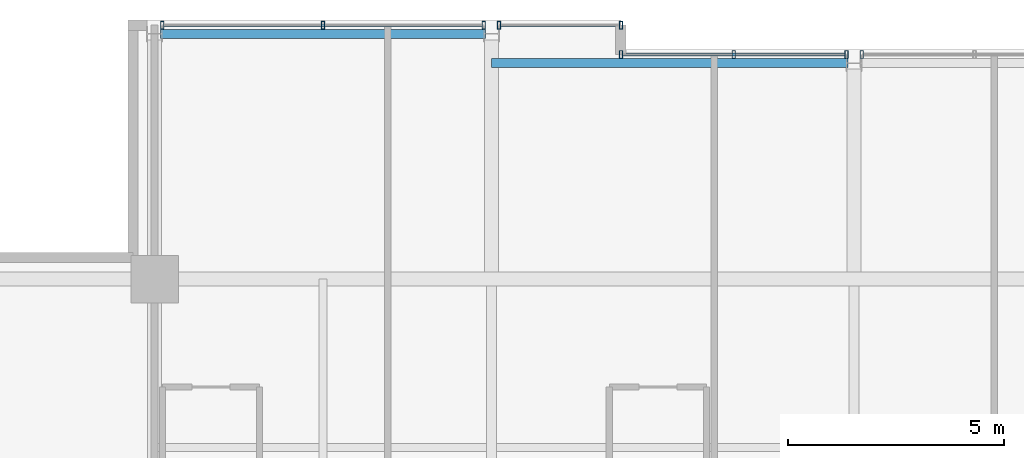
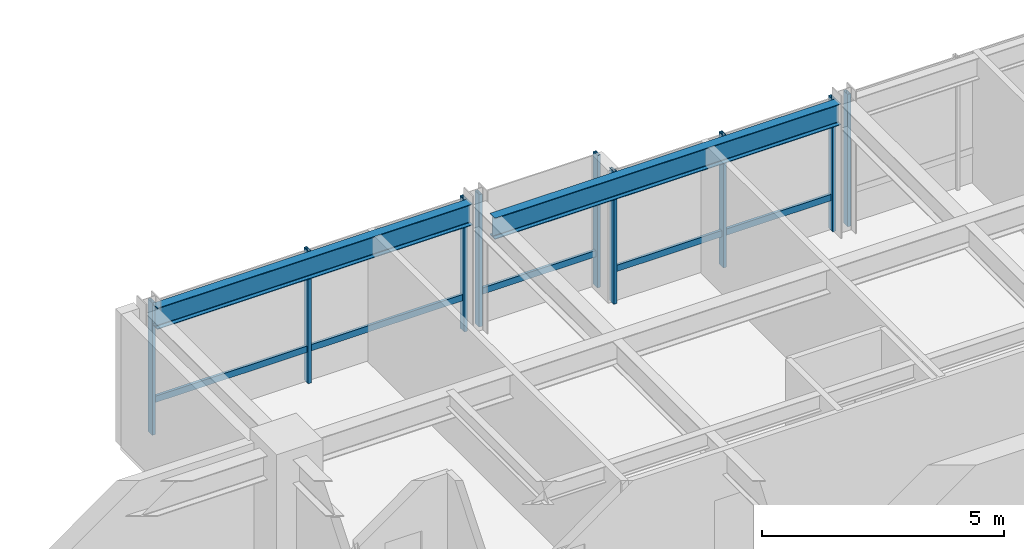
# One storey, part 20 of 32: 12 members, 2 beams, 4 elements without a shape of their own.
"""IFC4 building model written with IfcOpenShell, lengths in metres."""

from ifc_helpers import new_model, si_unit, direction, frame, origin, origin_2d, place, context, subcontext, project, spatial, hollow_rectangle, i_section, extrude, material, layer, layer_set, material_profile, profile_set, type_object, element, aggregate, save


model = new_model("IFC4")

# Units and contexts
model_context = context("Model", 3, precision=1e-05, world=origin(), true_north=direction((0.0, 1.0)))
body_context = subcontext(model_context, "Body", "Model", "MODEL_VIEW")
ifc_project = project(units=[si_unit("LENGTHUNIT", "METRE"), si_unit("AREAUNIT", "SQUARE_METRE"), si_unit("VOLUMEUNIT", "CUBIC_METRE"), si_unit("PLANEANGLEUNIT", "RADIAN"), si_unit("MASSUNIT", "GRAM", prefix="KILO")], contexts=[model_context])

# Site, building, storey
site_placement = place(None, origin())
site = spatial("IfcSite", under=ifc_project, at=site_placement, CompositionType="ELEMENT")
building_placement = place(site_placement, origin())
building = spatial("IfcBuilding", under=site, at=building_placement, Name="Drelvath Grand Hotel", CompositionType="ELEMENT")
storey_placement = place(building_placement, frame((0.0, 0.0, 237.5)))
storey = spatial("IfcBuildingStorey", under=building, at=storey_placement, Name="L62", CompositionType="ELEMENT", Elevation=237.5)

# Curtain wall, member
ifc_material_1 = material(Name="Platinum-Mist Anodised Aluminium Frame", Category="aluminium")
ifc_layer = layer(ifc_material_1, 0.199951171875)
ifc_layer_set = layer_set([ifc_layer], Name="Platinum-Mist Anodised Aluminium Frame")
curtain_wall_type = type_object("IfcCurtainWallType", Name="Stick Curtain Wall CW-05 Platinum Mist High-Rise", PredefinedType="NOTDEFINED", material=ifc_layer_set)
curtain_wall_1_placement = place(storey_placement, origin())
curtain_wall_1 = element("IfcCurtainWall", 1, at=curtain_wall_1_placement, inside=storey, type_object=curtain_wall_type, Name="L62 CW-05 Curtain Wall CW05-L62-NW2", PredefinedType="NOTDEFINED")
ifc_material_profile_1 = material_profile(ifc_material_1, hollow_rectangle(XDim=0.06494140625, YDim=0.159912109375, WallThickness=0.00390625, at=origin_2d()), Name="HSS160X65X4")
ifc_profile_set_1 = profile_set([ifc_material_profile_1], Name="Platinum-Mist Anodised Aluminium Frame")
member_type_1 = type_object("IfcMemberType", Name="Curtain Wall Horizontal Transom CW-05 HSS160X65X4", PredefinedType="USERDEFINED", material=ifc_profile_set_1)
member_1_placement = place(storey_placement, frame((-15.981689453125, 49.080078125, 0.8349609375), z_axis=(1.0, 0.0, 0.0), x_axis=(0.0, 1.0, 0.0)))
member_1 = element("IfcMember", 2, at=member_1_placement, type_object=member_type_1, Name="CW05-L62-NW2 Sill Transom", ObjectType="TRANSOM", PredefinedType="USERDEFINED", context=body_context, shape_type="SweptSolid", body=[
    extrude(hollow_rectangle(XDim=0.06494140625, YDim=0.159912109375, WallThickness=0.00390625, at=origin_2d()), origin(), (0.0, 0.0, 1.0), 7.363525390625),
])

curtain_wall_2_placement = place(storey_placement, origin())
curtain_wall_2 = element("IfcCurtainWall", 3, at=curtain_wall_2_placement, inside=storey, type_object=curtain_wall_type, Name="L62 CW-05 Curtain Wall CW05-L62-NW3", PredefinedType="NOTDEFINED")
member_2_placement = place(storey_placement, frame((-8.181884765625, 49.080078125, 0.8349609375), z_axis=(1.0, 0.0, 0.0), x_axis=(0.0, 1.0, 0.0)))
member_2 = element("IfcMember", 4, at=member_2_placement, type_object=member_type_1, Name="CW05-L62-NW3 Sill Transom", ObjectType="TRANSOM", PredefinedType="USERDEFINED", context=body_context, shape_type="SweptSolid", body=[
    extrude(hollow_rectangle(XDim=0.06494140625, YDim=0.159912109375, WallThickness=0.00390625, at=origin_2d()), origin(), (0.0, 0.0, 1.0), 2.741943359375),
])

curtain_wall_3_placement = place(storey_placement, origin())
curtain_wall_3 = element("IfcCurtainWall", 5, at=curtain_wall_3_placement, inside=storey, type_object=curtain_wall_type, Name="L62 CW-05 Curtain Wall CW05-L62-NM1", PredefinedType="NOTDEFINED")
member_3_placement = place(storey_placement, frame((-5.360107421875, 48.39990234375, 0.8349609375), z_axis=(1.0, 0.0, 0.0), x_axis=(0.0, 1.0, 0.0)))
member_3 = element("IfcMember", 6, at=member_3_placement, type_object=member_type_1, Name="CW05-L62-NM1 Sill Transom", ObjectType="TRANSOM", PredefinedType="USERDEFINED", context=body_context, shape_type="SweptSolid", body=[
    extrude(hollow_rectangle(XDim=0.06494140625, YDim=0.159912109375, WallThickness=0.00390625, at=origin_2d()), origin(), (0.0, 0.0, 1.0), 5.141845703125),
])

# Member
ifc_material_profile_2 = material_profile(ifc_material_1, hollow_rectangle(XDim=0.074951171875, YDim=0.179931640625, WallThickness=0.0048828125, at=origin_2d()), Name="HSS180X75X5")
ifc_profile_set_2 = profile_set([ifc_material_profile_2], Name="Platinum-Mist Anodised Aluminium Frame")
member_type_2 = type_object("IfcMemberType", Name="Curtain Wall Vertical Mullion CW-05 HSS180X75X5", PredefinedType="MULLION", material=ifc_profile_set_2)
member_4_placement = place(storey_placement, frame((-16.021728515625, 49.080078125, 0.0), z_axis=(0.0, 0.0, 1.0), x_axis=(1.0, 0.0, 0.0)))
member_4 = element("IfcMember", 7, at=member_4_placement, type_object=member_type_2, Name="CW05-L62-NW2 Mullion 1", PredefinedType="MULLION", context=body_context, shape_type="SweptSolid", body=[
    extrude(hollow_rectangle(XDim=0.074951171875, YDim=0.179931640625, WallThickness=0.0048828125, at=origin_2d()), origin(), (0.0, 0.0, 1.0), 3.340087890625),
])

member_5_placement = place(storey_placement, frame((-12.300048828125, 49.080078125, 0.0), z_axis=(0.0, 0.0, 1.0), x_axis=(1.0, 0.0, 0.0)))
member_5 = element("IfcMember", 8, at=member_5_placement, type_object=member_type_2, Name="CW05-L62-NW2 Mullion 2", PredefinedType="MULLION", context=body_context, shape_type="SweptSolid", body=[
    extrude(hollow_rectangle(XDim=0.074951171875, YDim=0.179931640625, WallThickness=0.0048828125, at=origin_2d()), origin(), (0.0, 0.0, 1.0), 3.340087890625),
])

member_6_placement = place(storey_placement, frame((-8.578125, 49.080078125, 0.0), z_axis=(0.0, 0.0, 1.0), x_axis=(1.0, 0.0, 0.0)))
member_6 = element("IfcMember", 9, at=member_6_placement, type_object=member_type_2, Name="CW05-L62-NW2 Mullion 3", PredefinedType="MULLION", context=body_context, shape_type="SweptSolid", body=[
    extrude(hollow_rectangle(XDim=0.074951171875, YDim=0.179931640625, WallThickness=0.0048828125, at=origin_2d()), origin(), (0.0, 0.0, 1.0), 3.340087890625),
])

aggregate(curtain_wall_1, [member_4, member_5, member_6, member_1])

member_7_placement = place(storey_placement, frame((-8.2216796875, 49.080078125, 0.0), z_axis=(0.0, 0.0, 1.0), x_axis=(1.0, 0.0, 0.0)))
member_7 = element("IfcMember", 10, at=member_7_placement, type_object=member_type_2, Name="CW05-L62-NW3 Mullion 1", PredefinedType="MULLION", context=body_context, shape_type="SweptSolid", body=[
    extrude(hollow_rectangle(XDim=0.074951171875, YDim=0.179931640625, WallThickness=0.0048828125, at=origin_2d()), origin(), (0.0, 0.0, 1.0), 3.340087890625),
])

member_8_placement = place(storey_placement, frame((-5.39990234375, 49.080078125, 0.0), z_axis=(0.0, 0.0, 1.0), x_axis=(1.0, 0.0, 0.0)))
member_8 = element("IfcMember", 11, at=member_8_placement, type_object=member_type_2, Name="CW05-L62-NW3 Mullion 2", PredefinedType="MULLION", context=body_context, shape_type="SweptSolid", body=[
    extrude(hollow_rectangle(XDim=0.074951171875, YDim=0.179931640625, WallThickness=0.0048828125, at=origin_2d()), origin(), (0.0, 0.0, 1.0), 3.340087890625),
])

aggregate(curtain_wall_2, [member_7, member_8, member_2])

member_9_placement = place(storey_placement, frame((-5.39990234375, 48.39990234375, 0.0), z_axis=(0.0, 0.0, 1.0), x_axis=(1.0, 0.0, 0.0)))
member_9 = element("IfcMember", 12, at=member_9_placement, type_object=member_type_2, Name="CW05-L62-NM1 Mullion 1", PredefinedType="MULLION", context=body_context, shape_type="SweptSolid", body=[
    extrude(hollow_rectangle(XDim=0.074951171875, YDim=0.179931640625, WallThickness=0.0048828125, at=origin_2d()), origin(), (0.0, 0.0, 1.0), 3.340087890625),
])

member_10_placement = place(storey_placement, frame((-2.7890625, 48.39990234375, 0.0), z_axis=(0.0, 0.0, 1.0), x_axis=(1.0, 0.0, 0.0)))
member_10 = element("IfcMember", 13, at=member_10_placement, type_object=member_type_2, Name="CW05-L62-NM1 Mullion 2", PredefinedType="MULLION", context=body_context, shape_type="SweptSolid", body=[
    extrude(hollow_rectangle(XDim=0.074951171875, YDim=0.179931640625, WallThickness=0.0048828125, at=origin_2d()), origin(), (0.0, 0.0, 1.0), 3.340087890625),
])

member_11_placement = place(storey_placement, frame((-0.17822265625, 48.39990234375, 0.0), z_axis=(0.0, 0.0, 1.0), x_axis=(1.0, 0.0, 0.0)))
member_11 = element("IfcMember", 14, at=member_11_placement, type_object=member_type_2, Name="CW05-L62-NM1 Mullion 3", PredefinedType="MULLION", context=body_context, shape_type="SweptSolid", body=[
    extrude(hollow_rectangle(XDim=0.074951171875, YDim=0.179931640625, WallThickness=0.0048828125, at=origin_2d()), origin(), (0.0, 0.0, 1.0), 3.340087890625),
])

aggregate(curtain_wall_3, [member_9, member_10, member_11, member_3])

# Curtain wall, member
curtain_wall_4_placement = place(storey_placement, origin())
curtain_wall_4 = element("IfcCurtainWall", 15, at=curtain_wall_4_placement, inside=storey, type_object=curtain_wall_type, Name="L62 CW-05 Curtain Wall CW05-L62-NM2", PredefinedType="NOTDEFINED")
member_12_placement = place(storey_placement, frame((0.17822265625, 48.39990234375, 0.0), z_axis=(0.0, 0.0, 1.0), x_axis=(1.0, 0.0, 0.0)))
member_12 = element("IfcMember", 16, at=member_12_placement, type_object=member_type_2, Name="CW05-L62-NM2 Mullion 1", PredefinedType="MULLION", context=body_context, shape_type="SweptSolid", body=[
    extrude(hollow_rectangle(XDim=0.074951171875, YDim=0.179931640625, WallThickness=0.0048828125, at=origin_2d()), origin(), (0.0, 0.0, 1.0), 3.340087890625),
])
aggregate(curtain_wall_4, [member_12])

# Beams
ifc_material_2 = material(Name="Steel ASTM A992 Gr 50", Category="steel")
ifc_material_profile_3 = material_profile(ifc_material_2, i_section(OverallWidth=0.210205078125, OverallDepth=0.53662109375, WebThickness=0.010986328125, FlangeThickness=0.017333984375, FilletRadius=0.01806640625, at=origin_2d()), Name="W21X68")
ifc_profile_set_3 = profile_set([ifc_material_profile_3], Name="Steel ASTM A992 Gr 50")
beam_type = type_object("IfcBeamType", Name="Perimeter Spandrel Beam W21X68", PredefinedType="SPANDREL", material=ifc_profile_set_3)
beam_1_placement = place(storey_placement, frame((-16.06005859375, 48.8798828125, 3.07177734375), z_axis=(1.0, 0.0, 0.0), x_axis=(0.0, 1.0, 0.0)))
element("IfcBeam", 17, at=beam_1_placement, inside=storey, type_object=beam_type, Name="L62 Spandrel North W", PredefinedType="SPANDREL", context=body_context, shape_type="SweptSolid", body=[
    extrude(i_section(OverallWidth=0.210205078125, OverallDepth=0.53662109375, WebThickness=0.010986328125, FlangeThickness=0.017333984375, FilletRadius=0.01806640625, at=origin_2d()), origin(), (0.0, 0.0, 1.0), 7.52001953125),
])
beam_2_placement = place(storey_placement, frame((-8.39990234375, 48.199951171875, 3.07177734375), z_axis=(1.0, 0.0, 0.0), x_axis=(0.0, 1.0, 0.0)))
element("IfcBeam", 18, at=beam_2_placement, inside=storey, type_object=beam_type, Name="L62 Spandrel North Mid W", PredefinedType="SPANDREL", context=body_context, shape_type="SweptSolid", body=[
    extrude(i_section(OverallWidth=0.210205078125, OverallDepth=0.53662109375, WebThickness=0.010986328125, FlangeThickness=0.017333984375, FilletRadius=0.01806640625, at=origin_2d()), origin(), (0.0, 0.0, 1.0), 8.260009765625),
])

save(model, "model.ifc")
